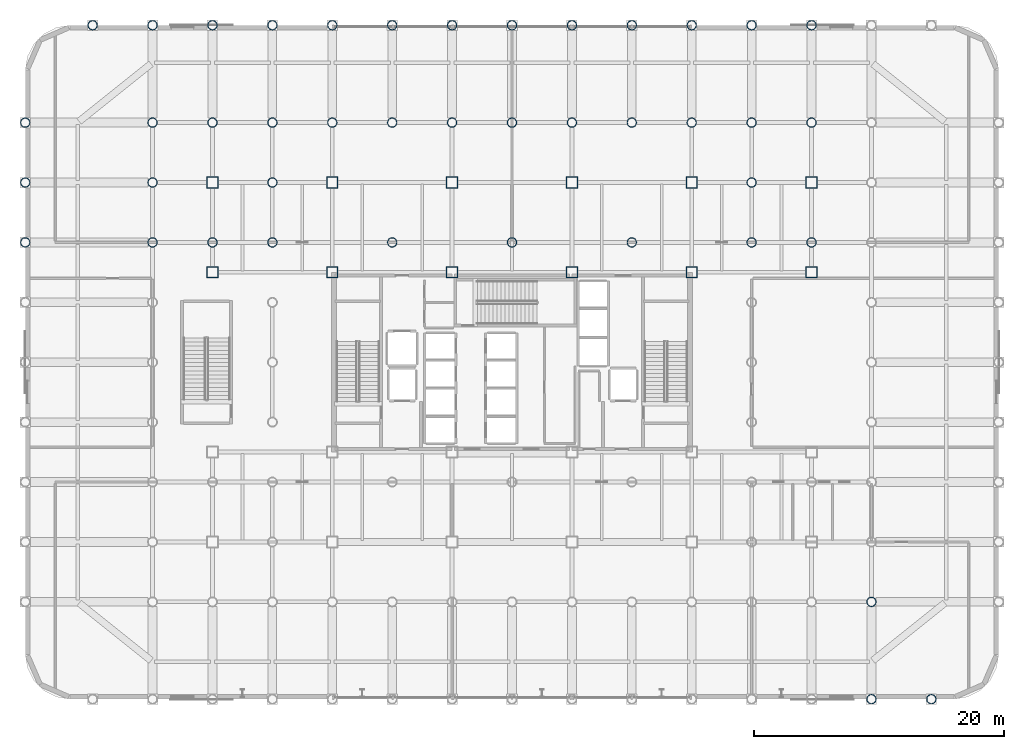
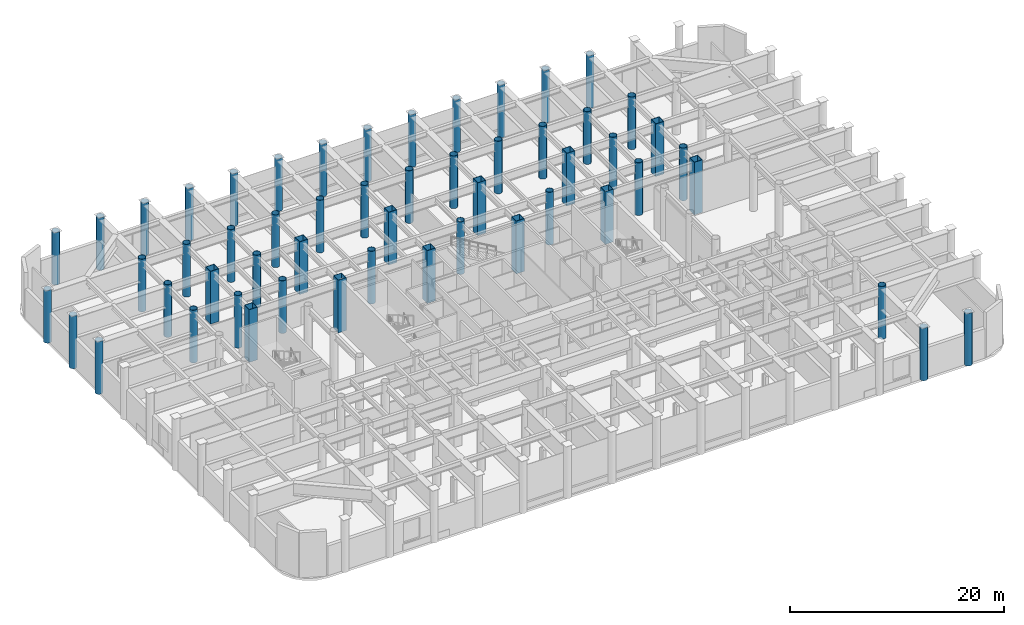
# One storey, part 3 of 26: 54 columns.
"""IFC4 building model written with IfcOpenShell, lengths in metres."""

from ifc_helpers import new_model, si_unit, direction, frame, origin, origin_2d, place, context, subcontext, project, spatial, hollow_rectangle, hollow_circle, extrude, material, material_profile, profile_set, type_object, element, save


model = new_model("IFC4")

# Units and contexts
model_context = context("Model", 3, precision=1e-05, world=origin(), true_north=direction((0.0, 1.0)))
body_context = subcontext(model_context, "Body", "Model", "MODEL_VIEW")
ifc_project = project(units=[si_unit("LENGTHUNIT", "METRE"), si_unit("AREAUNIT", "SQUARE_METRE"), si_unit("VOLUMEUNIT", "CUBIC_METRE"), si_unit("PLANEANGLEUNIT", "RADIAN"), si_unit("MASSUNIT", "GRAM", prefix="KILO")], contexts=[model_context])

# Site, building, storey
site_placement = place(None, origin())
site = spatial("IfcSite", under=ifc_project, at=site_placement, CompositionType="ELEMENT")
building_placement = place(site_placement, origin())
building = spatial("IfcBuilding", under=site, at=building_placement, Name="Kallvorn Hotel Tower", CompositionType="ELEMENT")
storey_placement = place(building_placement, frame((0.0, 0.0, 6.0)))
storey = spatial("IfcBuildingStorey", under=building, at=storey_placement, Name="L01", CompositionType="ELEMENT", Elevation=6.0)

# Columns
ifc_material_1 = material(Name="Structural steel S355J2H", Category="steel")
ifc_material_profile_1 = material_profile(ifc_material_1, hollow_circle(Radius=0.381103515625, WallThickness=0.031982421875, at=origin_2d()), Name="CHS 762x32")
ifc_profile_set_1 = profile_set([ifc_material_profile_1], Name="Structural steel S355J2H")
column_type_1 = type_object("IfcColumnType", Name="COL_CHS_762", PredefinedType="COLUMN", material=ifc_profile_set_1)
for number, where, z_axis, x_axis, name in (
    (1, (-39.0, 9.60009765625, 0.0), (0.0, 0.0, 1.0), (1.0, 0.0, 0.0), "L01 Exoskeleton Column EC07"),
    (2, (-39.0, 14.39990234375, 0.0), (0.0, 0.0, 1.0), (1.0, 0.0, 0.0), "L01 Exoskeleton Column EC08"),
    (3, (-39.0, 19.199951171875, 0.0), (0.0, 0.0, 1.0), (1.0, 0.0, 0.0), "L01 Exoskeleton Column EC09"),
    (4, (-33.60009765625, 27.0, 0.0), (0.0, 0.0, 1.0), (1.0, 0.0, 0.0), "L01 Exoskeleton Column EC11"),
    (5, (-28.800048828125, 9.60009765625, 0.0), (0.0, 0.0, 1.0), (1.0, 0.0, 0.0), "L01 Exoskeleton Column EC19"),
    (6, (-28.800048828125, 14.39990234375, 0.0), (0.0, 0.0, 1.0), (1.0, 0.0, 0.0), "L01 Exoskeleton Column EC20"),
    (7, (-28.800048828125, 19.199951171875, 0.0), (0.0, 0.0, 1.0), (1.0, 0.0, 0.0), "L01 Exoskeleton Column EC21"),
    (8, (-28.800048828125, 27.0, 0.0), (0.0, 0.0, 1.0), (1.0, 0.0, 0.0), "L01 Exoskeleton Column EC22"),
    (9, (-24.0, 9.60009765625, 0.0), (0.0, 0.0, 1.0), (1.0, 0.0, 0.0), "L01 Exoskeleton Column EC26"),
    (10, (-24.0, 19.199951171875, 0.0), (0.0, 0.0, 1.0), (1.0, 0.0, 0.0), "L01 Exoskeleton Column EC27"),
    (11, (-24.0, 27.0, 0.0), (0.0, 0.0, 1.0), (1.0, 0.0, 0.0), "L01 Exoskeleton Column EC28"),
    (12, (-19.199951171875, 9.60009765625, 0.0), (0.0, 0.0, 1.0), (1.0, 0.0, 0.0), "L01 Exoskeleton Column EC36"),
    (13, (-19.199951171875, 14.39990234375, 0.0), (0.0, 0.0, 1.0), (1.0, 0.0, 0.0), "L01 Exoskeleton Column EC37"),
    (14, (-19.199951171875, 19.199951171875, 0.0), (0.0, 0.0, 1.0), (1.0, 0.0, 0.0), "L01 Exoskeleton Column EC38"),
    (15, (-19.199951171875, 27.0, 0.0), (0.0, 0.0, 1.0), (1.0, 0.0, 0.0), "L01 Exoskeleton Column EC39"),
    (16, (-14.39990234375, 19.199951171875, 0.0), (0.0, 0.0, 1.0), (1.0, 0.0, 0.0), "L01 Exoskeleton Column EC42"),
    (17, (-14.39990234375, 27.0, 0.0), (0.0, 0.0, 1.0), (1.0, 0.0, 0.0), "L01 Exoskeleton Column EC43"),
    (18, (-9.60009765625, 9.60009765625, 0.0), (0.0, 0.0, 1.0), (1.0, 0.0, 0.0), "L01 Exoskeleton Column EC47"),
    (19, (-9.60009765625, 19.199951171875, 0.0), (0.0, 0.0, 1.0), (1.0, 0.0, 0.0), "L01 Exoskeleton Column EC48"),
    (20, (-9.60009765625, 27.0, 0.0), (0.0, 0.0, 1.0), (1.0, 0.0, 0.0), "L01 Exoskeleton Column EC49"),
    (21, (-4.800048828125, 19.199951171875, 0.0), (0.0, 0.0, 1.0), (1.0, 0.0, 0.0), "L01 Exoskeleton Column EC52"),
    (22, (-4.800048828125, 27.0, 0.0), (0.0, 0.0, 1.0), (1.0, 0.0, 0.0), "L01 Exoskeleton Column EC53"),
    (23, (0.0, 9.60009765625, 0.0), (0.0, 0.0, 1.0), (1.0, 0.0, 0.0), "L01 Exoskeleton Column EC57"),
    (24, (0.0, 19.199951171875, 0.0), (0.0, 0.0, 1.0), (1.0, 0.0, 0.0), "L01 Exoskeleton Column EC58"),
    (25, (0.0, 27.0, 0.0), (0.0, 0.0, 1.0), (1.0, 0.0, 0.0), "L01 Exoskeleton Column EC59"),
    (26, (4.800048828125, 19.199951171875, 0.0), (0.0, 0.0, 1.0), (1.0, 0.0, 0.0), "L01 Exoskeleton Column EC62"),
    (27, (4.800048828125, 27.0, 0.0), (0.0, 0.0, 1.0), (1.0, 0.0, 0.0), "L01 Exoskeleton Column EC63"),
    (28, (9.60009765625, 9.60009765625, 0.0), (0.0, 0.0, 1.0), (1.0, 0.0, 0.0), "L01 Exoskeleton Column EC67"),
    (29, (9.60009765625, 19.199951171875, 0.0), (0.0, 0.0, 1.0), (1.0, 0.0, 0.0), "L01 Exoskeleton Column EC68"),
    (30, (9.60009765625, 27.0, 0.0), (0.0, 0.0, 1.0), (1.0, 0.0, 0.0), "L01 Exoskeleton Column EC69"),
    (31, (14.39990234375, 19.199951171875, 0.0), (0.0, 0.0, 1.0), (1.0, 0.0, 0.0), "L01 Exoskeleton Column EC72"),
    (32, (14.39990234375, 27.0, 0.0), (0.0, 0.0, 1.0), (1.0, 0.0, 0.0), "L01 Exoskeleton Column EC73"),
    (33, (19.199951171875, 9.60009765625, 0.0), (0.0, 0.0, 1.0), (1.0, 0.0, 0.0), "L01 Exoskeleton Column EC81"),
    (34, (19.199951171875, 14.39990234375, 0.0), (0.0, 0.0, 1.0), (1.0, 0.0, 0.0), "L01 Exoskeleton Column EC82"),
    (35, (19.199951171875, 19.199951171875, 0.0), (0.0, 0.0, 1.0), (1.0, 0.0, 0.0), "L01 Exoskeleton Column EC83"),
    (36, (19.199951171875, 27.0, 0.0), (0.0, 0.0, 1.0), (1.0, 0.0, 0.0), "L01 Exoskeleton Column EC84"),
    (37, (24.0, 9.60009765625, 0.0), (0.0, 0.0, 1.0), (1.0, 0.0, 0.0), "L01 Exoskeleton Column EC88"),
    (38, (24.0, 19.199951171875, 0.0), (0.0, 0.0, 1.0), (1.0, 0.0, 0.0), "L01 Exoskeleton Column EC89"),
    (39, (24.0, 27.0, 0.0), (0.0, 0.0, 1.0), (1.0, 0.0, 0.0), "L01 Exoskeleton Column EC90"),
    (40, (28.800048828125, -27.0, 0.0), (0.0, 0.0, 1.0), (1.0, 0.0, 0.0), "L01 Exoskeleton Column EC91"),
    (41, (28.800048828125, -19.199951171875, 0.0), (0.0, 0.0, 1.0), (1.0, 0.0, 0.0), "L01 Exoskeleton Column EC92"),
    (42, (33.60009765625, -27.0, 0.0), (0.0, 0.0, 1.0), (1.0, 0.0, 0.0), "L01 Exoskeleton Column EC102"),
):
    element("IfcColumn", number, at=place(storey_placement, frame(where, z_axis=z_axis, x_axis=x_axis)), inside=storey, type_object=column_type_1, Name=name, PredefinedType="COLUMN", context=body_context, shape_type="SweptSolid", body=[
        extrude(hollow_circle(Radius=0.381103515625, WallThickness=0.031982421875, at=origin_2d()), origin(), (0.0, 0.0, 1.0), 6.0),
    ])
ifc_material_2 = material(Name="Structural steel S355J2H", Category="steel")
ifc_material_profile_2 = material_profile(ifc_material_2, hollow_rectangle(XDim=0.89990234375, YDim=0.89990234375, WallThickness=0.0400390625, at=origin_2d()), Name="RHS 900x900x40")
ifc_profile_set_2 = profile_set([ifc_material_profile_2], Name="Structural steel S355J2H")
column_type_2 = type_object("IfcColumnType", Name="COL_RHS_900", PredefinedType="COLUMN", material=ifc_profile_set_2)
for number, where, z_axis, x_axis, name in (
    (43, (-24.0, 7.199951171875, 0.0), (0.0, 0.0, 1.0), (1.0, 0.0, 0.0), "L01 Inner Column IC03"),
    (44, (-24.0, 14.39990234375, 0.0), (0.0, 0.0, 1.0), (1.0, 0.0, 0.0), "L01 Inner Column IC04"),
    (45, (-14.39990234375, 7.199951171875, 0.0), (0.0, 0.0, 1.0), (1.0, 0.0, 0.0), "L01 Inner Column IC07"),
    (46, (-14.39990234375, 14.39990234375, 0.0), (0.0, 0.0, 1.0), (1.0, 0.0, 0.0), "L01 Inner Column IC08"),
    (47, (-4.800048828125, 7.199951171875, 0.0), (0.0, 0.0, 1.0), (1.0, 0.0, 0.0), "L01 Inner Column IC11"),
    (48, (-4.800048828125, 14.39990234375, 0.0), (0.0, 0.0, 1.0), (1.0, 0.0, 0.0), "L01 Inner Column IC12"),
    (49, (4.800048828125, 7.199951171875, 0.0), (0.0, 0.0, 1.0), (1.0, 0.0, 0.0), "L01 Inner Column IC15"),
    (50, (4.800048828125, 14.39990234375, 0.0), (0.0, 0.0, 1.0), (1.0, 0.0, 0.0), "L01 Inner Column IC16"),
    (51, (14.39990234375, 7.199951171875, 0.0), (0.0, 0.0, 1.0), (1.0, 0.0, 0.0), "L01 Inner Column IC19"),
    (52, (14.39990234375, 14.39990234375, 0.0), (0.0, 0.0, 1.0), (1.0, 0.0, 0.0), "L01 Inner Column IC20"),
    (53, (24.0, 7.199951171875, 0.0), (0.0, 0.0, 1.0), (1.0, 0.0, 0.0), "L01 Inner Column IC23"),
    (54, (24.0, 14.39990234375, 0.0), (0.0, 0.0, 1.0), (1.0, 0.0, 0.0), "L01 Inner Column IC24"),
):
    element("IfcColumn", number, at=place(storey_placement, frame(where, z_axis=z_axis, x_axis=x_axis)), inside=storey, type_object=column_type_2, Name=name, PredefinedType="COLUMN", context=body_context, shape_type="SweptSolid", body=[
        extrude(hollow_rectangle(XDim=0.89990234375, YDim=0.89990234375, WallThickness=0.0400390625, at=origin_2d()), origin(), (0.0, 0.0, 1.0), 6.0),
    ])

save(model, "model.ifc")
